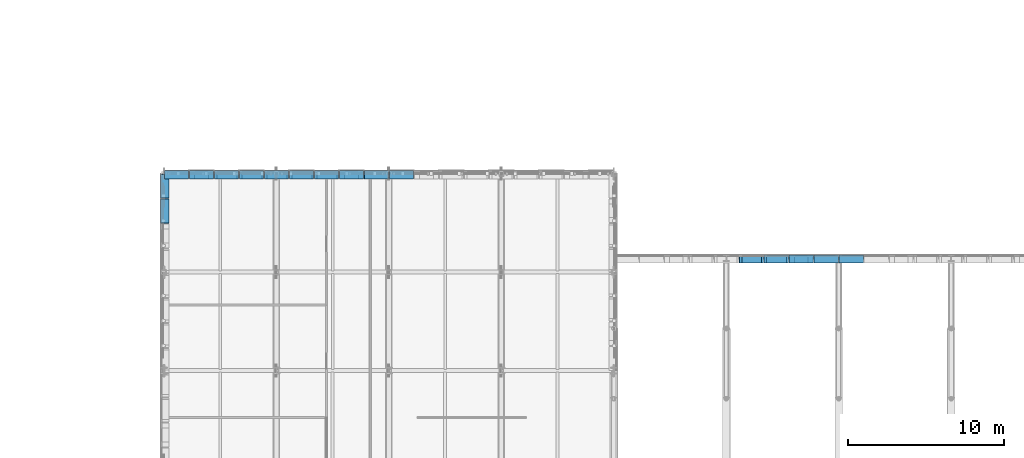
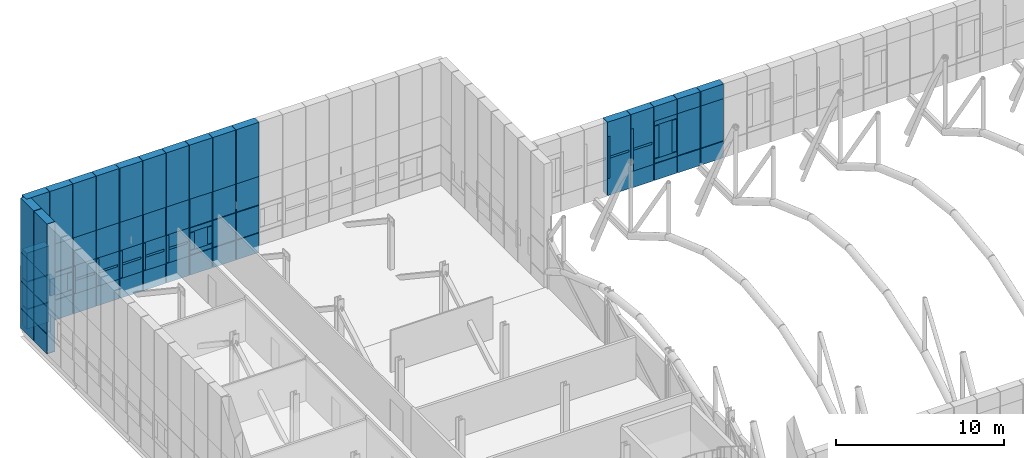
# One storey, part 119 of 144: 78 discrete accessories.
"""IFC4 building model written with IfcOpenShell, lengths in metres."""

from ifc_helpers import new_model, si_unit, direction, frame, origin, origin_2d, place, context, subcontext, project, spatial, rectangle, extrude, material, type_object, element, save


model = new_model("IFC4")

# Units and contexts
model_context = context("Model", 3, precision=1e-05, world=origin(), true_north=direction((0.0, 1.0)))
body_context = subcontext(model_context, "Body", "Model", "MODEL_VIEW")
ifc_project = project(units=[si_unit("LENGTHUNIT", "METRE"), si_unit("AREAUNIT", "SQUARE_METRE"), si_unit("VOLUMEUNIT", "CUBIC_METRE"), si_unit("PLANEANGLEUNIT", "RADIAN"), si_unit("MASSUNIT", "GRAM", prefix="KILO")], contexts=[model_context])

# Site, building, storey
site_placement = place(None, origin())
site = spatial("IfcSite", under=ifc_project, at=site_placement, CompositionType="ELEMENT")
building_placement = place(site_placement, origin())
building = spatial("IfcBuilding", under=site, at=building_placement, Name="Yarey Park Central Fire Station", CompositionType="ELEMENT")
storey_placement = place(building_placement, frame((0.0, 0.0, 10.199951171875)))
storey = spatial("IfcBuildingStorey", under=building, at=storey_placement, Name="L03", CompositionType="ELEMENT", Elevation=10.199951171875)

# Discrete accessories
ifc_material = material(Name="Stainless Steel AISI 316L", Category="steel")
discrete_accessory_type = type_object("IfcDiscreteAccessoryType", Name="ENV_BRK_SS1", PredefinedType="BRACKET", material=ifc_material)
discrete_accessory_1_placement = place(storey_placement, frame((28.85009765625, 96.611572265625, -0.494873046875), z_axis=(0.0, 0.0, 1.0), x_axis=(1.0, 0.0, 0.0)))
element("IfcDiscreteAccessory", 1, at=discrete_accessory_1_placement, inside=storey, type_object=discrete_accessory_type, Name="BRK_PERF_L03_0773", PredefinedType="BRACKET", context=body_context, shape_type="SweptSolid", body=[
    extrude(rectangle(XDim=0.5400390625, YDim=1.5322265625, at=origin_2d()), origin(), (0.0, 0.0, 1.0), 1.419921875),
])
discrete_accessory_2_placement = place(storey_placement, frame((28.85009765625, 96.611572265625, 0.97509765625), z_axis=(0.0, 0.0, 1.0), x_axis=(1.0, 0.0, 0.0)))
element("IfcDiscreteAccessory", 2, at=discrete_accessory_2_placement, inside=storey, type_object=discrete_accessory_type, Name="BRK_PERF_L03_0774", PredefinedType="BRACKET", context=body_context, shape_type="SweptSolid", body=[
    extrude(rectangle(XDim=0.5400390625, YDim=1.5322265625, at=origin_2d()), origin(), (0.0, 0.0, 1.0), 1.949951171875),
])
discrete_accessory_3_placement = place(storey_placement, frame((28.85009765625, 96.611572265625, 2.97509765625), z_axis=(0.0, 0.0, 1.0), x_axis=(1.0, 0.0, 0.0)))
element("IfcDiscreteAccessory", 3, at=discrete_accessory_3_placement, inside=storey, type_object=discrete_accessory_type, Name="BRK_PERF_L03_0775", PredefinedType="BRACKET", context=body_context, shape_type="SweptSolid", body=[
    extrude(rectangle(XDim=0.5400390625, YDim=1.5322265625, at=origin_2d()), origin(), (0.0, 0.0, 1.0), 2.050048828125),
])
discrete_accessory_4_placement = place(storey_placement, frame((28.85009765625, 96.611572265625, -0.4599609375), z_axis=(0.0, 0.0, 1.0), x_axis=(1.0, 0.0, 0.0)))
element("IfcDiscreteAccessory", 4, at=discrete_accessory_4_placement, inside=storey, type_object=discrete_accessory_type, Name="BRK_RAIL_L03_0777", PredefinedType="BRACKET", context=body_context, shape_type="SweptSolid", body=[
    extrude(rectangle(XDim=0.5400390625, YDim=1.55224609375, at=origin_2d()), origin(), (0.0, 0.0, 1.0), 9.419921875),
])
discrete_accessory_5_placement = place(storey_placement, frame((28.85009765625, 98.203857421875, -0.494873046875), z_axis=(0.0, 0.0, 1.0), x_axis=(1.0, 0.0, 0.0)))
element("IfcDiscreteAccessory", 5, at=discrete_accessory_5_placement, inside=storey, type_object=discrete_accessory_type, Name="BRK_PERF_L03_0778", PredefinedType="BRACKET", context=body_context, shape_type="SweptSolid", body=[
    extrude(rectangle(XDim=0.5400390625, YDim=1.5322265625, at=origin_2d()), origin(), (0.0, 0.0, 1.0), 1.419921875),
])
discrete_accessory_6_placement = place(storey_placement, frame((28.85009765625, 98.203857421875, 0.97509765625), z_axis=(0.0, 0.0, 1.0), x_axis=(1.0, 0.0, 0.0)))
element("IfcDiscreteAccessory", 6, at=discrete_accessory_6_placement, inside=storey, type_object=discrete_accessory_type, Name="BRK_PERF_L03_0779", PredefinedType="BRACKET", context=body_context, shape_type="SweptSolid", body=[
    extrude(rectangle(XDim=0.5400390625, YDim=1.5322265625, at=origin_2d()), origin(), (0.0, 0.0, 1.0), 1.949951171875),
])
discrete_accessory_7_placement = place(storey_placement, frame((28.85009765625, 98.203857421875, 2.97509765625), z_axis=(0.0, 0.0, 1.0), x_axis=(1.0, 0.0, 0.0)))
element("IfcDiscreteAccessory", 7, at=discrete_accessory_7_placement, inside=storey, type_object=discrete_accessory_type, Name="BRK_PERF_L03_0780", PredefinedType="BRACKET", context=body_context, shape_type="SweptSolid", body=[
    extrude(rectangle(XDim=0.5400390625, YDim=1.5322265625, at=origin_2d()), origin(), (0.0, 0.0, 1.0), 2.050048828125),
])
discrete_accessory_8_placement = place(storey_placement, frame((28.85009765625, 98.203857421875, -0.4599609375), z_axis=(0.0, 0.0, 1.0), x_axis=(1.0, 0.0, 0.0)))
element("IfcDiscreteAccessory", 8, at=discrete_accessory_8_placement, inside=storey, type_object=discrete_accessory_type, Name="BRK_RAIL_L03_0782", PredefinedType="BRACKET", context=body_context, shape_type="SweptSolid", body=[
    extrude(rectangle(XDim=0.5400390625, YDim=1.55224609375, at=origin_2d()), origin(), (0.0, 0.0, 1.0), 9.419921875),
])
discrete_accessory_9_placement = place(storey_placement, frame((29.60009765625, 98.949951171875, -0.494873046875), z_axis=(0.0, 0.0, 1.0), x_axis=(1.0, 0.0, 0.0)))
element("IfcDiscreteAccessory", 9, at=discrete_accessory_9_placement, inside=storey, type_object=discrete_accessory_type, Name="BRK_PERF_L03_0783", PredefinedType="BRACKET", context=body_context, shape_type="SweptSolid", body=[
    extrude(rectangle(XDim=1.5400390625, YDim=0.5400390625, at=origin_2d()), origin(), (0.0, 0.0, 1.0), 1.419921875),
])
discrete_accessory_10_placement = place(storey_placement, frame((29.60009765625, 98.949951171875, 0.97509765625), z_axis=(0.0, 0.0, 1.0), x_axis=(1.0, 0.0, 0.0)))
element("IfcDiscreteAccessory", 10, at=discrete_accessory_10_placement, inside=storey, type_object=discrete_accessory_type, Name="BRK_PERF_L03_0784", PredefinedType="BRACKET", context=body_context, shape_type="SweptSolid", body=[
    extrude(rectangle(XDim=1.5400390625, YDim=0.5400390625, at=origin_2d()), origin(), (0.0, 0.0, 1.0), 1.949951171875),
])
discrete_accessory_11_placement = place(storey_placement, frame((29.60009765625, 98.949951171875, 2.97509765625), z_axis=(0.0, 0.0, 1.0), x_axis=(1.0, 0.0, 0.0)))
element("IfcDiscreteAccessory", 11, at=discrete_accessory_11_placement, inside=storey, type_object=discrete_accessory_type, Name="BRK_PERF_L03_0785", PredefinedType="BRACKET", context=body_context, shape_type="SweptSolid", body=[
    extrude(rectangle(XDim=1.5400390625, YDim=0.5400390625, at=origin_2d()), origin(), (0.0, 0.0, 1.0), 2.050048828125),
])
discrete_accessory_12_placement = place(storey_placement, frame((29.60009765625, 98.949951171875, -0.4599609375), z_axis=(0.0, 0.0, 1.0), x_axis=(1.0, 0.0, 0.0)))
element("IfcDiscreteAccessory", 12, at=discrete_accessory_12_placement, inside=storey, type_object=discrete_accessory_type, Name="BRK_RAIL_L03_0787", PredefinedType="BRACKET", context=body_context, shape_type="SweptSolid", body=[
    extrude(rectangle(XDim=1.56005859375, YDim=0.5400390625, at=origin_2d()), origin(), (0.0, 0.0, 1.0), 9.419921875),
])
discrete_accessory_13_placement = place(storey_placement, frame((31.199951171875, 98.949951171875, -0.494873046875), z_axis=(0.0, 0.0, 1.0), x_axis=(1.0, 0.0, 0.0)))
element("IfcDiscreteAccessory", 13, at=discrete_accessory_13_placement, inside=storey, type_object=discrete_accessory_type, Name="BRK_PERF_L03_0788", PredefinedType="BRACKET", context=body_context, shape_type="SweptSolid", body=[
    extrude(rectangle(XDim=1.5400390625, YDim=0.5400390625, at=origin_2d()), origin(), (0.0, 0.0, 1.0), 1.419921875),
])
for number, where, z_axis, x_axis, name in (
    (14, (31.199951171875, 98.949951171875, 0.97021484375), (0.0, 0.0, 1.0), (1.0, 0.0, 0.0), "BRK_PERF_L03_0789"),
    (15, (31.199951171875, 98.949951171875, 2.60986328125), (0.0, 0.0, 1.0), (1.0, 0.0, 0.0), "BRK_PERF_L03_0790"),
):
    element("IfcDiscreteAccessory", number, at=place(storey_placement, frame(where, z_axis=z_axis, x_axis=x_axis)), inside=storey, type_object=discrete_accessory_type, Name=name, PredefinedType="BRACKET", context=body_context, shape_type="SweptSolid", body=[
        extrude(rectangle(XDim=1.5400390625, YDim=0.5400390625, at=origin_2d()), origin(), (0.0, 0.0, 1.0), 0.320068359375),
    ])
for number, where, z_axis, x_axis, name in (
    (16, (30.60009765625, 98.949951171875, 1.3349609375), (0.0, 0.0, 1.0), (1.0, 0.0, 0.0), "BRK_PERF_L03_0791"),
    (17, (31.800048828125, 98.949951171875, 1.3349609375), (0.0, 0.0, 1.0), (1.0, 0.0, 0.0), "BRK_PERF_L03_0792"),
):
    element("IfcDiscreteAccessory", number, at=place(storey_placement, frame(where, z_axis=z_axis, x_axis=x_axis)), inside=storey, type_object=discrete_accessory_type, Name=name, PredefinedType="BRACKET", context=body_context, shape_type="SweptSolid", body=[
        extrude(rectangle(XDim=0.320068359375, YDim=0.5400390625, at=origin_2d()), origin(), (0.0, 0.0, 1.0), 1.22998046875),
    ])
discrete_accessory_14_placement = place(storey_placement, frame((31.199951171875, 98.949951171875, 2.97509765625), z_axis=(0.0, 0.0, 1.0), x_axis=(1.0, 0.0, 0.0)))
element("IfcDiscreteAccessory", 18, at=discrete_accessory_14_placement, inside=storey, type_object=discrete_accessory_type, Name="BRK_PERF_L03_0793", PredefinedType="BRACKET", context=body_context, shape_type="SweptSolid", body=[
    extrude(rectangle(XDim=1.5400390625, YDim=0.5400390625, at=origin_2d()), origin(), (0.0, 0.0, 1.0), 2.050048828125),
])
discrete_accessory_15_placement = place(storey_placement, frame((31.199951171875, 98.949951171875, -0.4599609375), z_axis=(0.0, 0.0, 1.0), x_axis=(1.0, 0.0, 0.0)))
element("IfcDiscreteAccessory", 19, at=discrete_accessory_15_placement, inside=storey, type_object=discrete_accessory_type, Name="BRK_RAIL_L03_0798", PredefinedType="BRACKET", context=body_context, shape_type="SweptSolid", body=[
    extrude(rectangle(XDim=1.56005859375, YDim=0.5400390625, at=origin_2d()), origin(), (0.0, 0.0, 1.0), 9.419921875),
])
discrete_accessory_16_placement = place(storey_placement, frame((32.800048828125, 98.949951171875, -0.494873046875), z_axis=(0.0, 0.0, 1.0), x_axis=(1.0, 0.0, 0.0)))
element("IfcDiscreteAccessory", 20, at=discrete_accessory_16_placement, inside=storey, type_object=discrete_accessory_type, Name="BRK_PERF_L03_0799", PredefinedType="BRACKET", context=body_context, shape_type="SweptSolid", body=[
    extrude(rectangle(XDim=1.5400390625, YDim=0.5400390625, at=origin_2d()), origin(), (0.0, 0.0, 1.0), 1.419921875),
])
discrete_accessory_17_placement = place(storey_placement, frame((32.110107421875, 98.949951171875, 0.97509765625), z_axis=(0.0, 0.0, 1.0), x_axis=(1.0, 0.0, 0.0)))
element("IfcDiscreteAccessory", 21, at=discrete_accessory_17_placement, inside=storey, type_object=discrete_accessory_type, Name="BRK_PERF_L03_0800", PredefinedType="BRACKET", context=body_context, shape_type="SweptSolid", body=[
    extrude(rectangle(XDim=0.159912109375, YDim=0.5400390625, at=origin_2d()), origin(), (0.0, 0.0, 1.0), 1.949951171875),
])
discrete_accessory_18_placement = place(storey_placement, frame((32.800048828125, 98.949951171875, 1.8701171875), z_axis=(0.0, 0.0, 1.0), x_axis=(1.0, 0.0, 0.0)))
element("IfcDiscreteAccessory", 22, at=discrete_accessory_18_placement, inside=storey, type_object=discrete_accessory_type, Name="BRK_PERF_L03_0801", PredefinedType="BRACKET", context=body_context, shape_type="SweptSolid", body=[
    extrude(rectangle(XDim=1.340087890625, YDim=0.5400390625, at=origin_2d()), origin(), (0.0, 0.0, 1.0), 0.159912109375),
])
discrete_accessory_19_placement = place(storey_placement, frame((32.800048828125, 98.949951171875, 2.97509765625), z_axis=(0.0, 0.0, 1.0), x_axis=(1.0, 0.0, 0.0)))
element("IfcDiscreteAccessory", 23, at=discrete_accessory_19_placement, inside=storey, type_object=discrete_accessory_type, Name="BRK_PERF_L03_0802", PredefinedType="BRACKET", context=body_context, shape_type="SweptSolid", body=[
    extrude(rectangle(XDim=1.5400390625, YDim=0.5400390625, at=origin_2d()), origin(), (0.0, 0.0, 1.0), 2.050048828125),
])
discrete_accessory_20_placement = place(storey_placement, frame((32.800048828125, 98.949951171875, -0.4599609375), z_axis=(0.0, 0.0, 1.0), x_axis=(1.0, 0.0, 0.0)))
element("IfcDiscreteAccessory", 24, at=discrete_accessory_20_placement, inside=storey, type_object=discrete_accessory_type, Name="BRK_RAIL_L03_0805", PredefinedType="BRACKET", context=body_context, shape_type="SweptSolid", body=[
    extrude(rectangle(XDim=1.56005859375, YDim=0.5400390625, at=origin_2d()), origin(), (0.0, 0.0, 1.0), 9.419921875),
])
discrete_accessory_21_placement = place(storey_placement, frame((34.39990234375, 98.949951171875, -0.494873046875), z_axis=(0.0, 0.0, 1.0), x_axis=(1.0, 0.0, 0.0)))
element("IfcDiscreteAccessory", 25, at=discrete_accessory_21_placement, inside=storey, type_object=discrete_accessory_type, Name="BRK_PERF_L03_0806", PredefinedType="BRACKET", context=body_context, shape_type="SweptSolid", body=[
    extrude(rectangle(XDim=1.5400390625, YDim=0.5400390625, at=origin_2d()), origin(), (0.0, 0.0, 1.0), 1.419921875),
])
discrete_accessory_22_placement = place(storey_placement, frame((33.7099609375, 98.949951171875, 0.97509765625), z_axis=(0.0, 0.0, 1.0), x_axis=(1.0, 0.0, 0.0)))
element("IfcDiscreteAccessory", 26, at=discrete_accessory_22_placement, inside=storey, type_object=discrete_accessory_type, Name="BRK_PERF_L03_0807", PredefinedType="BRACKET", context=body_context, shape_type="SweptSolid", body=[
    extrude(rectangle(XDim=0.159912109375, YDim=0.5400390625, at=origin_2d()), origin(), (0.0, 0.0, 1.0), 1.949951171875),
])
discrete_accessory_23_placement = place(storey_placement, frame((34.39990234375, 98.949951171875, 1.8701171875), z_axis=(0.0, 0.0, 1.0), x_axis=(1.0, 0.0, 0.0)))
element("IfcDiscreteAccessory", 27, at=discrete_accessory_23_placement, inside=storey, type_object=discrete_accessory_type, Name="BRK_PERF_L03_0808", PredefinedType="BRACKET", context=body_context, shape_type="SweptSolid", body=[
    extrude(rectangle(XDim=1.340087890625, YDim=0.5400390625, at=origin_2d()), origin(), (0.0, 0.0, 1.0), 0.159912109375),
])
discrete_accessory_24_placement = place(storey_placement, frame((34.39990234375, 98.949951171875, 2.97509765625), z_axis=(0.0, 0.0, 1.0), x_axis=(1.0, 0.0, 0.0)))
element("IfcDiscreteAccessory", 28, at=discrete_accessory_24_placement, inside=storey, type_object=discrete_accessory_type, Name="BRK_PERF_L03_0809", PredefinedType="BRACKET", context=body_context, shape_type="SweptSolid", body=[
    extrude(rectangle(XDim=1.5400390625, YDim=0.5400390625, at=origin_2d()), origin(), (0.0, 0.0, 1.0), 2.050048828125),
])
discrete_accessory_25_placement = place(storey_placement, frame((34.39990234375, 98.949951171875, -0.4599609375), z_axis=(0.0, 0.0, 1.0), x_axis=(1.0, 0.0, 0.0)))
element("IfcDiscreteAccessory", 29, at=discrete_accessory_25_placement, inside=storey, type_object=discrete_accessory_type, Name="BRK_RAIL_L03_0812", PredefinedType="BRACKET", context=body_context, shape_type="SweptSolid", body=[
    extrude(rectangle(XDim=1.56005859375, YDim=0.5400390625, at=origin_2d()), origin(), (0.0, 0.0, 1.0), 9.419921875),
])
discrete_accessory_26_placement = place(storey_placement, frame((36.0, 98.949951171875, -0.494873046875), z_axis=(0.0, 0.0, 1.0), x_axis=(1.0, 0.0, 0.0)))
element("IfcDiscreteAccessory", 30, at=discrete_accessory_26_placement, inside=storey, type_object=discrete_accessory_type, Name="BRK_PERF_L03_0813", PredefinedType="BRACKET", context=body_context, shape_type="SweptSolid", body=[
    extrude(rectangle(XDim=1.5400390625, YDim=0.5400390625, at=origin_2d()), origin(), (0.0, 0.0, 1.0), 1.419921875),
])
discrete_accessory_27_placement = place(storey_placement, frame((35.31005859375, 98.949951171875, 0.97509765625), z_axis=(0.0, 0.0, 1.0), x_axis=(1.0, 0.0, 0.0)))
element("IfcDiscreteAccessory", 31, at=discrete_accessory_27_placement, inside=storey, type_object=discrete_accessory_type, Name="BRK_PERF_L03_0814", PredefinedType="BRACKET", context=body_context, shape_type="SweptSolid", body=[
    extrude(rectangle(XDim=0.159912109375, YDim=0.5400390625, at=origin_2d()), origin(), (0.0, 0.0, 1.0), 1.949951171875),
])
discrete_accessory_28_placement = place(storey_placement, frame((36.0, 98.949951171875, 1.8701171875), z_axis=(0.0, 0.0, 1.0), x_axis=(1.0, 0.0, 0.0)))
element("IfcDiscreteAccessory", 32, at=discrete_accessory_28_placement, inside=storey, type_object=discrete_accessory_type, Name="BRK_PERF_L03_0815", PredefinedType="BRACKET", context=body_context, shape_type="SweptSolid", body=[
    extrude(rectangle(XDim=1.340087890625, YDim=0.5400390625, at=origin_2d()), origin(), (0.0, 0.0, 1.0), 0.159912109375),
])
discrete_accessory_29_placement = place(storey_placement, frame((36.0, 98.949951171875, 2.97509765625), z_axis=(0.0, 0.0, 1.0), x_axis=(1.0, 0.0, 0.0)))
element("IfcDiscreteAccessory", 33, at=discrete_accessory_29_placement, inside=storey, type_object=discrete_accessory_type, Name="BRK_PERF_L03_0816", PredefinedType="BRACKET", context=body_context, shape_type="SweptSolid", body=[
    extrude(rectangle(XDim=1.5400390625, YDim=0.5400390625, at=origin_2d()), origin(), (0.0, 0.0, 1.0), 2.050048828125),
])
discrete_accessory_30_placement = place(storey_placement, frame((36.0, 98.949951171875, -0.4599609375), z_axis=(0.0, 0.0, 1.0), x_axis=(1.0, 0.0, 0.0)))
element("IfcDiscreteAccessory", 34, at=discrete_accessory_30_placement, inside=storey, type_object=discrete_accessory_type, Name="BRK_RAIL_L03_0819", PredefinedType="BRACKET", context=body_context, shape_type="SweptSolid", body=[
    extrude(rectangle(XDim=1.56005859375, YDim=0.5400390625, at=origin_2d()), origin(), (0.0, 0.0, 1.0), 9.419921875),
])
discrete_accessory_31_placement = place(storey_placement, frame((37.60009765625, 98.949951171875, -0.494873046875), z_axis=(0.0, 0.0, 1.0), x_axis=(1.0, 0.0, 0.0)))
element("IfcDiscreteAccessory", 35, at=discrete_accessory_31_placement, inside=storey, type_object=discrete_accessory_type, Name="BRK_PERF_L03_0820", PredefinedType="BRACKET", context=body_context, shape_type="SweptSolid", body=[
    extrude(rectangle(XDim=1.5400390625, YDim=0.5400390625, at=origin_2d()), origin(), (0.0, 0.0, 1.0), 1.419921875),
])
discrete_accessory_32_placement = place(storey_placement, frame((36.909912109375, 98.949951171875, 0.97509765625), z_axis=(0.0, 0.0, 1.0), x_axis=(1.0, 0.0, 0.0)))
element("IfcDiscreteAccessory", 36, at=discrete_accessory_32_placement, inside=storey, type_object=discrete_accessory_type, Name="BRK_PERF_L03_0821", PredefinedType="BRACKET", context=body_context, shape_type="SweptSolid", body=[
    extrude(rectangle(XDim=0.159912109375, YDim=0.5400390625, at=origin_2d()), origin(), (0.0, 0.0, 1.0), 1.949951171875),
])
discrete_accessory_33_placement = place(storey_placement, frame((37.60009765625, 98.949951171875, 1.8701171875), z_axis=(0.0, 0.0, 1.0), x_axis=(1.0, 0.0, 0.0)))
element("IfcDiscreteAccessory", 37, at=discrete_accessory_33_placement, inside=storey, type_object=discrete_accessory_type, Name="BRK_PERF_L03_0822", PredefinedType="BRACKET", context=body_context, shape_type="SweptSolid", body=[
    extrude(rectangle(XDim=1.340087890625, YDim=0.5400390625, at=origin_2d()), origin(), (0.0, 0.0, 1.0), 0.159912109375),
])
discrete_accessory_34_placement = place(storey_placement, frame((37.60009765625, 98.949951171875, 2.97509765625), z_axis=(0.0, 0.0, 1.0), x_axis=(1.0, 0.0, 0.0)))
element("IfcDiscreteAccessory", 38, at=discrete_accessory_34_placement, inside=storey, type_object=discrete_accessory_type, Name="BRK_PERF_L03_0823", PredefinedType="BRACKET", context=body_context, shape_type="SweptSolid", body=[
    extrude(rectangle(XDim=1.5400390625, YDim=0.5400390625, at=origin_2d()), origin(), (0.0, 0.0, 1.0), 2.050048828125),
])
discrete_accessory_35_placement = place(storey_placement, frame((37.60009765625, 98.949951171875, -0.4599609375), z_axis=(0.0, 0.0, 1.0), x_axis=(1.0, 0.0, 0.0)))
element("IfcDiscreteAccessory", 39, at=discrete_accessory_35_placement, inside=storey, type_object=discrete_accessory_type, Name="BRK_RAIL_L03_0826", PredefinedType="BRACKET", context=body_context, shape_type="SweptSolid", body=[
    extrude(rectangle(XDim=1.56005859375, YDim=0.5400390625, at=origin_2d()), origin(), (0.0, 0.0, 1.0), 9.419921875),
])
discrete_accessory_36_placement = place(storey_placement, frame((39.199951171875, 98.949951171875, -0.494873046875), z_axis=(0.0, 0.0, 1.0), x_axis=(1.0, 0.0, 0.0)))
element("IfcDiscreteAccessory", 40, at=discrete_accessory_36_placement, inside=storey, type_object=discrete_accessory_type, Name="BRK_PERF_L03_0827", PredefinedType="BRACKET", context=body_context, shape_type="SweptSolid", body=[
    extrude(rectangle(XDim=1.5400390625, YDim=0.5400390625, at=origin_2d()), origin(), (0.0, 0.0, 1.0), 1.419921875),
])
discrete_accessory_37_placement = place(storey_placement, frame((38.510009765625, 98.949951171875, 0.97509765625), z_axis=(0.0, 0.0, 1.0), x_axis=(1.0, 0.0, 0.0)))
element("IfcDiscreteAccessory", 41, at=discrete_accessory_37_placement, inside=storey, type_object=discrete_accessory_type, Name="BRK_PERF_L03_0828", PredefinedType="BRACKET", context=body_context, shape_type="SweptSolid", body=[
    extrude(rectangle(XDim=0.159912109375, YDim=0.5400390625, at=origin_2d()), origin(), (0.0, 0.0, 1.0), 1.949951171875),
])
discrete_accessory_38_placement = place(storey_placement, frame((39.199951171875, 98.949951171875, 1.8701171875), z_axis=(0.0, 0.0, 1.0), x_axis=(1.0, 0.0, 0.0)))
element("IfcDiscreteAccessory", 42, at=discrete_accessory_38_placement, inside=storey, type_object=discrete_accessory_type, Name="BRK_PERF_L03_0829", PredefinedType="BRACKET", context=body_context, shape_type="SweptSolid", body=[
    extrude(rectangle(XDim=1.340087890625, YDim=0.5400390625, at=origin_2d()), origin(), (0.0, 0.0, 1.0), 0.159912109375),
])
discrete_accessory_39_placement = place(storey_placement, frame((39.199951171875, 98.949951171875, 2.97509765625), z_axis=(0.0, 0.0, 1.0), x_axis=(1.0, 0.0, 0.0)))
element("IfcDiscreteAccessory", 43, at=discrete_accessory_39_placement, inside=storey, type_object=discrete_accessory_type, Name="BRK_PERF_L03_0830", PredefinedType="BRACKET", context=body_context, shape_type="SweptSolid", body=[
    extrude(rectangle(XDim=1.5400390625, YDim=0.5400390625, at=origin_2d()), origin(), (0.0, 0.0, 1.0), 2.050048828125),
])
discrete_accessory_40_placement = place(storey_placement, frame((39.199951171875, 98.949951171875, -0.4599609375), z_axis=(0.0, 0.0, 1.0), x_axis=(1.0, 0.0, 0.0)))
element("IfcDiscreteAccessory", 44, at=discrete_accessory_40_placement, inside=storey, type_object=discrete_accessory_type, Name="BRK_RAIL_L03_0833", PredefinedType="BRACKET", context=body_context, shape_type="SweptSolid", body=[
    extrude(rectangle(XDim=1.56005859375, YDim=0.5400390625, at=origin_2d()), origin(), (0.0, 0.0, 1.0), 9.419921875),
])
discrete_accessory_41_placement = place(storey_placement, frame((40.800048828125, 98.949951171875, -0.494873046875), z_axis=(0.0, 0.0, 1.0), x_axis=(1.0, 0.0, 0.0)))
element("IfcDiscreteAccessory", 45, at=discrete_accessory_41_placement, inside=storey, type_object=discrete_accessory_type, Name="BRK_PERF_L03_0834", PredefinedType="BRACKET", context=body_context, shape_type="SweptSolid", body=[
    extrude(rectangle(XDim=1.5400390625, YDim=0.5400390625, at=origin_2d()), origin(), (0.0, 0.0, 1.0), 1.419921875),
])
for number, where, z_axis, x_axis, name in (
    (46, (40.800048828125, 98.949951171875, 0.97021484375), (0.0, 0.0, 1.0), (1.0, 0.0, 0.0), "BRK_PERF_L03_0835"),
    (47, (40.800048828125, 98.949951171875, 2.60986328125), (0.0, 0.0, 1.0), (1.0, 0.0, 0.0), "BRK_PERF_L03_0836"),
):
    element("IfcDiscreteAccessory", number, at=place(storey_placement, frame(where, z_axis=z_axis, x_axis=x_axis)), inside=storey, type_object=discrete_accessory_type, Name=name, PredefinedType="BRACKET", context=body_context, shape_type="SweptSolid", body=[
        extrude(rectangle(XDim=1.5400390625, YDim=0.5400390625, at=origin_2d()), origin(), (0.0, 0.0, 1.0), 0.320068359375),
    ])
for number, where, z_axis, x_axis, name in (
    (48, (40.199951171875, 98.949951171875, 1.3349609375), (0.0, 0.0, 1.0), (1.0, 0.0, 0.0), "BRK_PERF_L03_0837"),
    (49, (41.39990234375, 98.949951171875, 1.3349609375), (0.0, 0.0, 1.0), (1.0, 0.0, 0.0), "BRK_PERF_L03_0838"),
):
    element("IfcDiscreteAccessory", number, at=place(storey_placement, frame(where, z_axis=z_axis, x_axis=x_axis)), inside=storey, type_object=discrete_accessory_type, Name=name, PredefinedType="BRACKET", context=body_context, shape_type="SweptSolid", body=[
        extrude(rectangle(XDim=0.320068359375, YDim=0.5400390625, at=origin_2d()), origin(), (0.0, 0.0, 1.0), 1.22998046875),
    ])
discrete_accessory_42_placement = place(storey_placement, frame((40.800048828125, 98.949951171875, 2.97509765625), z_axis=(0.0, 0.0, 1.0), x_axis=(1.0, 0.0, 0.0)))
element("IfcDiscreteAccessory", 50, at=discrete_accessory_42_placement, inside=storey, type_object=discrete_accessory_type, Name="BRK_PERF_L03_0839", PredefinedType="BRACKET", context=body_context, shape_type="SweptSolid", body=[
    extrude(rectangle(XDim=1.5400390625, YDim=0.5400390625, at=origin_2d()), origin(), (0.0, 0.0, 1.0), 2.050048828125),
])
discrete_accessory_43_placement = place(storey_placement, frame((40.800048828125, 98.949951171875, -0.4599609375), z_axis=(0.0, 0.0, 1.0), x_axis=(1.0, 0.0, 0.0)))
element("IfcDiscreteAccessory", 51, at=discrete_accessory_43_placement, inside=storey, type_object=discrete_accessory_type, Name="BRK_RAIL_L03_0844", PredefinedType="BRACKET", context=body_context, shape_type="SweptSolid", body=[
    extrude(rectangle(XDim=1.56005859375, YDim=0.5400390625, at=origin_2d()), origin(), (0.0, 0.0, 1.0), 9.419921875),
])
discrete_accessory_44_placement = place(storey_placement, frame((42.39990234375, 98.949951171875, -0.494873046875), z_axis=(0.0, 0.0, 1.0), x_axis=(1.0, 0.0, 0.0)))
element("IfcDiscreteAccessory", 52, at=discrete_accessory_44_placement, inside=storey, type_object=discrete_accessory_type, Name="BRK_PERF_L03_0845", PredefinedType="BRACKET", context=body_context, shape_type="SweptSolid", body=[
    extrude(rectangle(XDim=1.5400390625, YDim=0.5400390625, at=origin_2d()), origin(), (0.0, 0.0, 1.0), 1.419921875),
])
discrete_accessory_45_placement = place(storey_placement, frame((42.39990234375, 98.949951171875, 0.97509765625), z_axis=(0.0, 0.0, 1.0), x_axis=(1.0, 0.0, 0.0)))
element("IfcDiscreteAccessory", 53, at=discrete_accessory_45_placement, inside=storey, type_object=discrete_accessory_type, Name="BRK_PERF_L03_0846", PredefinedType="BRACKET", context=body_context, shape_type="SweptSolid", body=[
    extrude(rectangle(XDim=1.5400390625, YDim=0.5400390625, at=origin_2d()), origin(), (0.0, 0.0, 1.0), 1.949951171875),
])
discrete_accessory_46_placement = place(storey_placement, frame((42.39990234375, 98.949951171875, 2.97509765625), z_axis=(0.0, 0.0, 1.0), x_axis=(1.0, 0.0, 0.0)))
element("IfcDiscreteAccessory", 54, at=discrete_accessory_46_placement, inside=storey, type_object=discrete_accessory_type, Name="BRK_PERF_L03_0847", PredefinedType="BRACKET", context=body_context, shape_type="SweptSolid", body=[
    extrude(rectangle(XDim=1.5400390625, YDim=0.5400390625, at=origin_2d()), origin(), (0.0, 0.0, 1.0), 2.050048828125),
])
discrete_accessory_47_placement = place(storey_placement, frame((42.39990234375, 98.949951171875, -0.4599609375), z_axis=(0.0, 0.0, 1.0), x_axis=(1.0, 0.0, 0.0)))
element("IfcDiscreteAccessory", 55, at=discrete_accessory_47_placement, inside=storey, type_object=discrete_accessory_type, Name="BRK_RAIL_L03_0849", PredefinedType="BRACKET", context=body_context, shape_type="SweptSolid", body=[
    extrude(rectangle(XDim=1.56005859375, YDim=0.5400390625, at=origin_2d()), origin(), (0.0, 0.0, 1.0), 9.419921875),
])
discrete_accessory_48_placement = place(storey_placement, frame((44.0, 98.949951171875, -0.494873046875), z_axis=(0.0, 0.0, 1.0), x_axis=(1.0, 0.0, 0.0)))
element("IfcDiscreteAccessory", 56, at=discrete_accessory_48_placement, inside=storey, type_object=discrete_accessory_type, Name="BRK_PERF_L03_0850", PredefinedType="BRACKET", context=body_context, shape_type="SweptSolid", body=[
    extrude(rectangle(XDim=1.5400390625, YDim=0.5400390625, at=origin_2d()), origin(), (0.0, 0.0, 1.0), 1.419921875),
])
discrete_accessory_49_placement = place(storey_placement, frame((44.0, 98.949951171875, 0.97509765625), z_axis=(0.0, 0.0, 1.0), x_axis=(1.0, 0.0, 0.0)))
element("IfcDiscreteAccessory", 57, at=discrete_accessory_49_placement, inside=storey, type_object=discrete_accessory_type, Name="BRK_PERF_L03_0851", PredefinedType="BRACKET", context=body_context, shape_type="SweptSolid", body=[
    extrude(rectangle(XDim=1.5400390625, YDim=0.5400390625, at=origin_2d()), origin(), (0.0, 0.0, 1.0), 1.949951171875),
])
discrete_accessory_50_placement = place(storey_placement, frame((44.0, 98.949951171875, 2.97509765625), z_axis=(0.0, 0.0, 1.0), x_axis=(1.0, 0.0, 0.0)))
element("IfcDiscreteAccessory", 58, at=discrete_accessory_50_placement, inside=storey, type_object=discrete_accessory_type, Name="BRK_PERF_L03_0852", PredefinedType="BRACKET", context=body_context, shape_type="SweptSolid", body=[
    extrude(rectangle(XDim=1.5400390625, YDim=0.5400390625, at=origin_2d()), origin(), (0.0, 0.0, 1.0), 2.050048828125),
])
discrete_accessory_51_placement = place(storey_placement, frame((44.0, 98.949951171875, -0.4599609375), z_axis=(0.0, 0.0, 1.0), x_axis=(1.0, 0.0, 0.0)))
element("IfcDiscreteAccessory", 59, at=discrete_accessory_51_placement, inside=storey, type_object=discrete_accessory_type, Name="BRK_RAIL_L03_0854", PredefinedType="BRACKET", context=body_context, shape_type="SweptSolid", body=[
    extrude(rectangle(XDim=1.56005859375, YDim=0.5400390625, at=origin_2d()), origin(), (0.0, 0.0, 1.0), 9.419921875),
])
discrete_accessory_52_placement = place(storey_placement, frame((65.7099609375, 93.550048828125, 0.8251953125), z_axis=(0.0, 0.0, 1.0), x_axis=(1.0, 0.0, 0.0)))
element("IfcDiscreteAccessory", 60, at=discrete_accessory_52_placement, inside=storey, type_object=discrete_accessory_type, Name="BRK_PERF_L03_1587", PredefinedType="BRACKET", context=body_context, shape_type="SweptSolid", body=[
    extrude(rectangle(XDim=0.159912109375, YDim=0.5400390625, at=origin_2d()), origin(), (0.0, 0.0, 1.0), 3.050048828125),
])
discrete_accessory_53_placement = place(storey_placement, frame((66.39990234375, 93.550048828125, 2.27001953125), z_axis=(0.0, 0.0, 1.0), x_axis=(1.0, 0.0, 0.0)))
element("IfcDiscreteAccessory", 61, at=discrete_accessory_53_placement, inside=storey, type_object=discrete_accessory_type, Name="BRK_PERF_L03_1588", PredefinedType="BRACKET", context=body_context, shape_type="SweptSolid", body=[
    extrude(rectangle(XDim=1.340087890625, YDim=0.5400390625, at=origin_2d()), origin(), (0.0, 0.0, 1.0), 0.159912109375),
])
discrete_accessory_54_placement = place(storey_placement, frame((66.39990234375, 93.550048828125, -0.389892578125), z_axis=(0.0, 0.0, 1.0), x_axis=(1.0, 0.0, 0.0)))
element("IfcDiscreteAccessory", 62, at=discrete_accessory_54_placement, inside=storey, type_object=discrete_accessory_type, Name="BRK_RAIL_L03_1589", PredefinedType="BRACKET", context=body_context, shape_type="SweptSolid", body=[
    extrude(rectangle(XDim=1.56005859375, YDim=0.5400390625, at=origin_2d()), origin(), (0.0, 0.0, 1.0), 5.330078125),
])
discrete_accessory_55_placement = place(storey_placement, frame((68.0, 93.550048828125, -0.4248046875), z_axis=(0.0, 0.0, 1.0), x_axis=(1.0, 0.0, 0.0)))
element("IfcDiscreteAccessory", 63, at=discrete_accessory_55_placement, inside=storey, type_object=discrete_accessory_type, Name="BRK_PERF_L03_1590", PredefinedType="BRACKET", context=body_context, shape_type="SweptSolid", body=[
    extrude(rectangle(XDim=1.5400390625, YDim=0.5400390625, at=origin_2d()), origin(), (0.0, 0.0, 1.0), 1.199951171875),
])
discrete_accessory_56_placement = place(storey_placement, frame((67.31005859375, 93.550048828125, 0.8251953125), z_axis=(0.0, 0.0, 1.0), x_axis=(1.0, 0.0, 0.0)))
element("IfcDiscreteAccessory", 64, at=discrete_accessory_56_placement, inside=storey, type_object=discrete_accessory_type, Name="BRK_PERF_L03_1591", PredefinedType="BRACKET", context=body_context, shape_type="SweptSolid", body=[
    extrude(rectangle(XDim=0.159912109375, YDim=0.5400390625, at=origin_2d()), origin(), (0.0, 0.0, 1.0), 3.050048828125),
])
discrete_accessory_57_placement = place(storey_placement, frame((68.0, 93.550048828125, 2.27001953125), z_axis=(0.0, 0.0, 1.0), x_axis=(1.0, 0.0, 0.0)))
element("IfcDiscreteAccessory", 65, at=discrete_accessory_57_placement, inside=storey, type_object=discrete_accessory_type, Name="BRK_PERF_L03_1592", PredefinedType="BRACKET", context=body_context, shape_type="SweptSolid", body=[
    extrude(rectangle(XDim=1.340087890625, YDim=0.5400390625, at=origin_2d()), origin(), (0.0, 0.0, 1.0), 0.159912109375),
])
discrete_accessory_58_placement = place(storey_placement, frame((68.0, 93.550048828125, -0.389892578125), z_axis=(0.0, 0.0, 1.0), x_axis=(1.0, 0.0, 0.0)))
element("IfcDiscreteAccessory", 66, at=discrete_accessory_58_placement, inside=storey, type_object=discrete_accessory_type, Name="BRK_RAIL_L03_1593", PredefinedType="BRACKET", context=body_context, shape_type="SweptSolid", body=[
    extrude(rectangle(XDim=1.56005859375, YDim=0.5400390625, at=origin_2d()), origin(), (0.0, 0.0, 1.0), 5.330078125),
])
discrete_accessory_59_placement = place(storey_placement, frame((69.60009765625, 93.550048828125, -0.4248046875), z_axis=(0.0, 0.0, 1.0), x_axis=(1.0, 0.0, 0.0)))
element("IfcDiscreteAccessory", 67, at=discrete_accessory_59_placement, inside=storey, type_object=discrete_accessory_type, Name="BRK_PERF_L03_1594", PredefinedType="BRACKET", context=body_context, shape_type="SweptSolid", body=[
    extrude(rectangle(XDim=1.5400390625, YDim=0.5400390625, at=origin_2d()), origin(), (0.0, 0.0, 1.0), 1.199951171875),
])
for number, where, z_axis, x_axis, name in (
    (68, (69.60009765625, 93.550048828125, 0.81982421875), (0.0, 0.0, 1.0), (1.0, 0.0, 0.0), "BRK_PERF_L03_1595"),
    (69, (69.60009765625, 93.550048828125, 3.56005859375), (0.0, 0.0, 1.0), (1.0, 0.0, 0.0), "BRK_PERF_L03_1596"),
):
    element("IfcDiscreteAccessory", number, at=place(storey_placement, frame(where, z_axis=z_axis, x_axis=x_axis)), inside=storey, type_object=discrete_accessory_type, Name=name, PredefinedType="BRACKET", context=body_context, shape_type="SweptSolid", body=[
        extrude(rectangle(XDim=1.5400390625, YDim=0.5400390625, at=origin_2d()), origin(), (0.0, 0.0, 1.0), 0.320068359375),
    ])
for number, where, z_axis, x_axis, name in (
    (70, (69.0, 93.550048828125, 1.18505859375), (0.0, 0.0, 1.0), (1.0, 0.0, 0.0), "BRK_PERF_L03_1597"),
    (71, (70.199951171875, 93.550048828125, 1.18505859375), (0.0, 0.0, 1.0), (1.0, 0.0, 0.0), "BRK_PERF_L03_1598"),
):
    element("IfcDiscreteAccessory", number, at=place(storey_placement, frame(where, z_axis=z_axis, x_axis=x_axis)), inside=storey, type_object=discrete_accessory_type, Name=name, PredefinedType="BRACKET", context=body_context, shape_type="SweptSolid", body=[
        extrude(rectangle(XDim=0.320068359375, YDim=0.5400390625, at=origin_2d()), origin(), (0.0, 0.0, 1.0), 2.330078125),
    ])
discrete_accessory_60_placement = place(storey_placement, frame((69.60009765625, 93.550048828125, -0.389892578125), z_axis=(0.0, 0.0, 1.0), x_axis=(1.0, 0.0, 0.0)))
element("IfcDiscreteAccessory", 72, at=discrete_accessory_60_placement, inside=storey, type_object=discrete_accessory_type, Name="BRK_RAIL_L03_1599", PredefinedType="BRACKET", context=body_context, shape_type="SweptSolid", body=[
    extrude(rectangle(XDim=1.56005859375, YDim=0.5400390625, at=origin_2d()), origin(), (0.0, 0.0, 1.0), 5.330078125),
])
discrete_accessory_61_placement = place(storey_placement, frame((71.199951171875, 93.550048828125, -0.4248046875), z_axis=(0.0, 0.0, 1.0), x_axis=(1.0, 0.0, 0.0)))
element("IfcDiscreteAccessory", 73, at=discrete_accessory_61_placement, inside=storey, type_object=discrete_accessory_type, Name="BRK_PERF_L03_1600", PredefinedType="BRACKET", context=body_context, shape_type="SweptSolid", body=[
    extrude(rectangle(XDim=1.5400390625, YDim=0.5400390625, at=origin_2d()), origin(), (0.0, 0.0, 1.0), 1.199951171875),
])
discrete_accessory_62_placement = place(storey_placement, frame((71.199951171875, 93.550048828125, 0.8251953125), z_axis=(0.0, 0.0, 1.0), x_axis=(1.0, 0.0, 0.0)))
element("IfcDiscreteAccessory", 74, at=discrete_accessory_62_placement, inside=storey, type_object=discrete_accessory_type, Name="BRK_PERF_L03_1601", PredefinedType="BRACKET", context=body_context, shape_type="SweptSolid", body=[
    extrude(rectangle(XDim=1.5400390625, YDim=0.5400390625, at=origin_2d()), origin(), (0.0, 0.0, 1.0), 3.050048828125),
])
discrete_accessory_63_placement = place(storey_placement, frame((71.199951171875, 93.550048828125, -0.389892578125), z_axis=(0.0, 0.0, 1.0), x_axis=(1.0, 0.0, 0.0)))
element("IfcDiscreteAccessory", 75, at=discrete_accessory_63_placement, inside=storey, type_object=discrete_accessory_type, Name="BRK_RAIL_L03_1602", PredefinedType="BRACKET", context=body_context, shape_type="SweptSolid", body=[
    extrude(rectangle(XDim=1.56005859375, YDim=0.5400390625, at=origin_2d()), origin(), (0.0, 0.0, 1.0), 5.330078125),
])
discrete_accessory_64_placement = place(storey_placement, frame((72.800048828125, 93.550048828125, -0.4248046875), z_axis=(0.0, 0.0, 1.0), x_axis=(1.0, 0.0, 0.0)))
element("IfcDiscreteAccessory", 76, at=discrete_accessory_64_placement, inside=storey, type_object=discrete_accessory_type, Name="BRK_PERF_L03_1603", PredefinedType="BRACKET", context=body_context, shape_type="SweptSolid", body=[
    extrude(rectangle(XDim=1.5400390625, YDim=0.5400390625, at=origin_2d()), origin(), (0.0, 0.0, 1.0), 1.199951171875),
])
discrete_accessory_65_placement = place(storey_placement, frame((72.800048828125, 93.550048828125, 0.8251953125), z_axis=(0.0, 0.0, 1.0), x_axis=(1.0, 0.0, 0.0)))
element("IfcDiscreteAccessory", 77, at=discrete_accessory_65_placement, inside=storey, type_object=discrete_accessory_type, Name="BRK_PERF_L03_1604", PredefinedType="BRACKET", context=body_context, shape_type="SweptSolid", body=[
    extrude(rectangle(XDim=1.5400390625, YDim=0.5400390625, at=origin_2d()), origin(), (0.0, 0.0, 1.0), 3.050048828125),
])
discrete_accessory_66_placement = place(storey_placement, frame((72.800048828125, 93.550048828125, -0.389892578125), z_axis=(0.0, 0.0, 1.0), x_axis=(1.0, 0.0, 0.0)))
element("IfcDiscreteAccessory", 78, at=discrete_accessory_66_placement, inside=storey, type_object=discrete_accessory_type, Name="BRK_RAIL_L03_1605", PredefinedType="BRACKET", context=body_context, shape_type="SweptSolid", body=[
    extrude(rectangle(XDim=1.56005859375, YDim=0.5400390625, at=origin_2d()), origin(), (0.0, 0.0, 1.0), 5.330078125),
])

save(model, "model.ifc")
